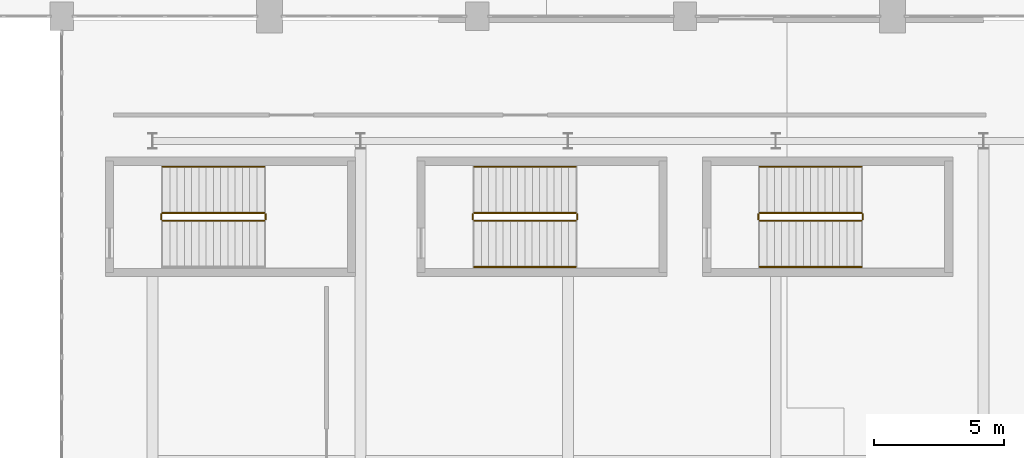
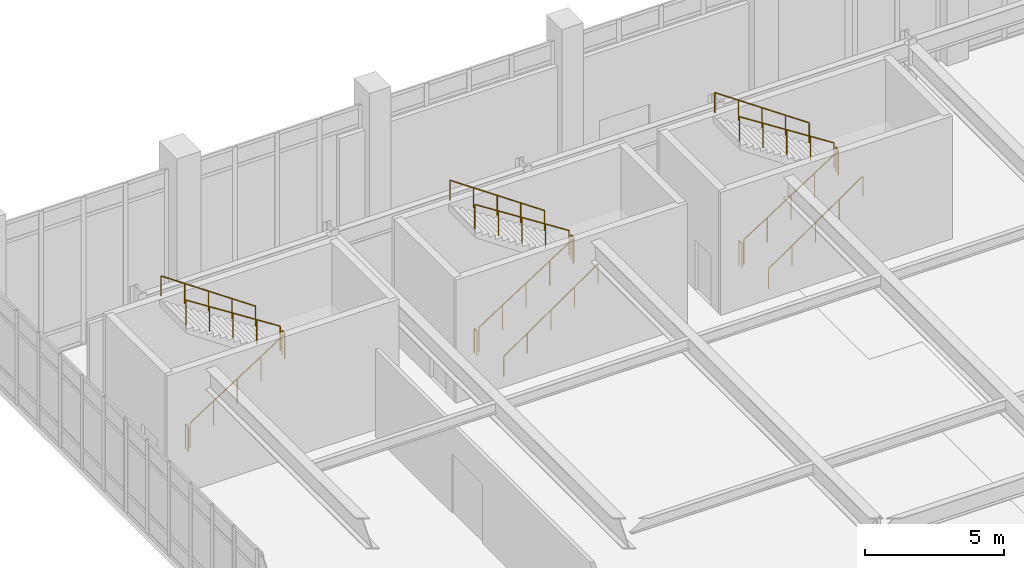
# One storey, part 80 of 84: 17 railings.
"""IFC4 building model written with IfcOpenShell, lengths in metres."""

from ifc_helpers import new_model, si_unit, direction, frame, origin, origin_2d, place, context, subcontext, project, spatial, circle, extrude, material, type_object, element, save


model = new_model("IFC4")

# Units and contexts
model_context = context("Model", 3, precision=1e-05, world=origin(), true_north=direction((0.0, 1.0)))
body_context = subcontext(model_context, "Body", "Model", "MODEL_VIEW")
ifc_project = project(units=[si_unit("LENGTHUNIT", "METRE"), si_unit("AREAUNIT", "SQUARE_METRE"), si_unit("VOLUMEUNIT", "CUBIC_METRE"), si_unit("PLANEANGLEUNIT", "RADIAN"), si_unit("MASSUNIT", "GRAM", prefix="KILO")], contexts=[model_context])

# Site, building, storey
site_placement = place(None, origin())
site = spatial("IfcSite", under=ifc_project, at=site_placement, CompositionType="ELEMENT")
building_placement = place(site_placement, origin())
building = spatial("IfcBuilding", under=site, at=building_placement, Name="Tlacozan Convention Centre", CompositionType="ELEMENT")
storey_placement = place(building_placement, frame((0.0, 0.0, 6.0)))
storey = spatial("IfcBuildingStorey", under=building, at=storey_placement, Name="L01", CompositionType="ELEMENT", Elevation=6.0)

# Railings
ifc_material = material(Name="Architectural Painted Galvanised Steel Railing", Category="steel")
railing_type_1 = type_object("IfcRailingType", Name="Stair Wall Handrail 900", PredefinedType="HANDRAIL", material=ifc_material)
railing_1_placement = place(storey_placement, frame((95.800048828125, 56.2099609375, 2.8798828125)))
element("IfcRailing", 1, at=railing_1_placement, inside=storey, type_object=railing_type_1, Name="L01 ST-06 stair handrail 2", PredefinedType="HANDRAIL", context=body_context, shape_type="SweptSolid", body=[
    extrude(circle(Radius=0.02392578125, at=origin_2d()), frame((0.0, 0.0, 0.8759765625), z_axis=(-0.82354327477, 0.0, 0.567253448276), x_axis=(0.0, -1.0, 0.0)), (0.0, 0.0, 1.0), 4.760009765625),
    extrude(circle(Radius=0.02099609375, at=origin_2d()), origin(), (0.0, 0.0, 1.0), 0.851806640625),
    extrude(circle(Radius=0.02099609375, at=origin_2d()), frame((-0.97998046875, 0.0, 0.675048828125)), (0.0, 0.0, 1.0), 0.851806640625),
    extrude(circle(Radius=0.02099609375, at=origin_2d()), frame((-1.9599609375, 0.0, 1.35009765625)), (0.0, 0.0, 1.0), 0.851806640625),
    extrude(circle(Radius=0.02099609375, at=origin_2d()), frame((-2.940185546875, 0.0, 2.025146484375)), (0.0, 0.0, 1.0), 0.851806640625),
    extrude(circle(Radius=0.02099609375, at=origin_2d()), frame((-3.920166015625, 0.0, 2.7001953125)), (0.0, 0.0, 1.0), 0.851806640625),
])
railing_2_placement = place(storey_placement, frame((103.8798828125, 52.35009765625, 0.179931640625)))
element("IfcRailing", 2, at=railing_2_placement, inside=storey, type_object=railing_type_1, Name="L01 ST-17 stair handrail 1", PredefinedType="HANDRAIL", context=body_context, shape_type="SweptSolid", body=[
    extrude(circle(Radius=0.02392578125, at=origin_2d()), frame((0.0, 0.0, 0.8759765625), z_axis=(0.823567234665, 0.0, 0.567218661528), x_axis=(0.0, 1.0, 0.0)), (0.0, 0.0, 1.0), 4.760009765625),
    extrude(circle(Radius=0.02099609375, at=origin_2d()), origin(), (0.0, 0.0, 1.0), 0.851806640625),
    extrude(circle(Radius=0.02099609375, at=origin_2d()), frame((0.97998046875, 0.0, 0.675048828125)), (0.0, 0.0, 1.0), 0.851806640625),
    extrude(circle(Radius=0.02099609375, at=origin_2d()), frame((1.9599609375, 0.0, 1.35009765625)), (0.0, 0.0, 1.0), 0.851806640625),
    extrude(circle(Radius=0.02099609375, at=origin_2d()), frame((2.940185546875, 0.0, 2.02490234375)), (0.0, 0.0, 1.0), 0.851806640625),
    extrude(circle(Radius=0.02099609375, at=origin_2d()), frame((3.920166015625, 0.0, 2.699951171875)), (0.0, 0.0, 1.0), 0.851806640625),
])
railing_3_placement = place(storey_placement, frame((107.800048828125, 56.2099609375, 2.8798828125)))
element("IfcRailing", 3, at=railing_3_placement, inside=storey, type_object=railing_type_1, Name="L01 ST-17 stair handrail 2", PredefinedType="HANDRAIL", context=body_context, shape_type="SweptSolid", body=[
    extrude(circle(Radius=0.02392578125, at=origin_2d()), frame((0.0, 0.0, 0.8759765625), z_axis=(-0.82354327477, 0.0, 0.567253448276), x_axis=(0.0, -1.0, 0.0)), (0.0, 0.0, 1.0), 4.760009765625),
    extrude(circle(Radius=0.02099609375, at=origin_2d()), origin(), (0.0, 0.0, 1.0), 0.851806640625),
    extrude(circle(Radius=0.02099609375, at=origin_2d()), frame((-0.97998046875, 0.0, 0.675048828125)), (0.0, 0.0, 1.0), 0.851806640625),
    extrude(circle(Radius=0.02099609375, at=origin_2d()), frame((-1.9599609375, 0.0, 1.35009765625)), (0.0, 0.0, 1.0), 0.851806640625),
    extrude(circle(Radius=0.02099609375, at=origin_2d()), frame((-2.940185546875, 0.0, 2.025146484375)), (0.0, 0.0, 1.0), 0.851806640625),
    extrude(circle(Radius=0.02099609375, at=origin_2d()), frame((-3.920166015625, 0.0, 2.7001953125)), (0.0, 0.0, 1.0), 0.851806640625),
])
railing_4_placement = place(storey_placement, frame((114.8798828125, 52.35009765625, 0.179931640625)))
element("IfcRailing", 4, at=railing_4_placement, inside=storey, type_object=railing_type_1, Name="L01 ST-18 stair handrail 1", PredefinedType="HANDRAIL", context=body_context, shape_type="SweptSolid", body=[
    extrude(circle(Radius=0.02392578125, at=origin_2d()), frame((0.0, 0.0, 0.8759765625), z_axis=(0.823567234665, 0.0, 0.567218661528), x_axis=(0.0, 1.0, 0.0)), (0.0, 0.0, 1.0), 4.760009765625),
    extrude(circle(Radius=0.02099609375, at=origin_2d()), origin(), (0.0, 0.0, 1.0), 0.851806640625),
    extrude(circle(Radius=0.02099609375, at=origin_2d()), frame((0.97998046875, 0.0, 0.675048828125)), (0.0, 0.0, 1.0), 0.851806640625),
    extrude(circle(Radius=0.02099609375, at=origin_2d()), frame((1.9599609375, 0.0, 1.35009765625)), (0.0, 0.0, 1.0), 0.851806640625),
    extrude(circle(Radius=0.02099609375, at=origin_2d()), frame((2.940185546875, 0.0, 2.02490234375)), (0.0, 0.0, 1.0), 0.851806640625),
    extrude(circle(Radius=0.02099609375, at=origin_2d()), frame((3.920166015625, 0.0, 2.699951171875)), (0.0, 0.0, 1.0), 0.851806640625),
])
railing_5_placement = place(storey_placement, frame((118.800048828125, 56.2099609375, 2.8798828125)))
element("IfcRailing", 5, at=railing_5_placement, inside=storey, type_object=railing_type_1, Name="L01 ST-18 stair handrail 2", PredefinedType="HANDRAIL", context=body_context, shape_type="SweptSolid", body=[
    extrude(circle(Radius=0.02392578125, at=origin_2d()), frame((0.0, 0.0, 0.8759765625), z_axis=(-0.82354327477, 0.0, 0.567253448276), x_axis=(0.0, -1.0, 0.0)), (0.0, 0.0, 1.0), 4.760009765625),
    extrude(circle(Radius=0.02099609375, at=origin_2d()), origin(), (0.0, 0.0, 1.0), 0.851806640625),
    extrude(circle(Radius=0.02099609375, at=origin_2d()), frame((-0.97998046875, 0.0, 0.675048828125)), (0.0, 0.0, 1.0), 0.851806640625),
    extrude(circle(Radius=0.02099609375, at=origin_2d()), frame((-1.9599609375, 0.0, 1.35009765625)), (0.0, 0.0, 1.0), 0.851806640625),
    extrude(circle(Radius=0.02099609375, at=origin_2d()), frame((-2.940185546875, 0.0, 2.025146484375)), (0.0, 0.0, 1.0), 0.851806640625),
    extrude(circle(Radius=0.02099609375, at=origin_2d()), frame((-3.920166015625, 0.0, 2.7001953125)), (0.0, 0.0, 1.0), 0.851806640625),
])
railing_type_2 = type_object("IfcRailingType", Name="Stair Well Guardrail 1100", PredefinedType="GUARDRAIL", material=ifc_material)
railing_6_placement = place(storey_placement, frame((91.8798828125, 54.1298828125, 0.179931640625)))
element("IfcRailing", 6, at=railing_6_placement, inside=storey, type_object=railing_type_2, Name="L01 ST-06 stair guard 1", PredefinedType="GUARDRAIL", context=body_context, shape_type="SweptSolid", body=[
    extrude(circle(Radius=0.02392578125, at=origin_2d()), frame((0.0, 0.0, 1.076171875), z_axis=(0.841186985886, 0.0, 0.540744352514), x_axis=(0.0, 1.0, 0.0)), (0.0, 0.0, 1.0), 4.660400390625),
    extrude(circle(Radius=0.02099609375, at=origin_2d()), origin(), (0.0, 0.0, 1.0), 1.052001953125),
    extrude(circle(Radius=0.02099609375, at=origin_2d()), frame((0.97998046875, 0.0, 0.6298828125)), (0.0, 0.0, 1.0), 1.052001953125),
    extrude(circle(Radius=0.02099609375, at=origin_2d()), frame((1.9599609375, 0.0, 1.260009765625)), (0.0, 0.0, 1.0), 1.052001953125),
    extrude(circle(Radius=0.02099609375, at=origin_2d()), frame((2.940185546875, 0.0, 1.89013671875)), (0.0, 0.0, 1.0), 1.052001953125),
    extrude(circle(Radius=0.02099609375, at=origin_2d()), frame((3.920166015625, 0.0, 2.52001953125)), (0.0, 0.0, 1.0), 1.052001953125),
])
railing_7_placement = place(storey_placement, frame((95.85009765625, 54.179931640625, 2.699951171875)))
element("IfcRailing", 7, at=railing_7_placement, inside=storey, type_object=railing_type_2, Name="L01 ST-06 stair guard 2", PredefinedType="GUARDRAIL", context=body_context, shape_type="SweptSolid", body=[
    extrude(circle(Radius=0.02392578125, at=origin_2d()), frame((0.0, 0.0, 1.076171875), z_axis=(0.0, 1.0, 0.0), x_axis=(-1.0, 0.0, 0.0)), (0.0, 0.0, 1.0), 0.199951171875),
    extrude(circle(Radius=0.02099609375, at=origin_2d()), origin(), (0.0, 0.0, 1.0), 1.052001953125),
    extrude(circle(Radius=0.02099609375, at=origin_2d()), frame((0.0, 0.199951171875, 0.0)), (0.0, 0.0, 1.0), 1.052001953125),
])
railing_8_placement = place(storey_placement, frame((95.800048828125, 54.429931640625, 2.8798828125)))
element("IfcRailing", 8, at=railing_8_placement, inside=storey, type_object=railing_type_2, Name="L01 ST-06 stair guard 3", PredefinedType="GUARDRAIL", context=body_context, shape_type="SweptSolid", body=[
    extrude(circle(Radius=0.02392578125, at=origin_2d()), frame((0.0, 0.0, 1.076171875), z_axis=(-0.841186985886, 0.0, 0.540744352514), x_axis=(0.0, -1.0, 0.0)), (0.0, 0.0, 1.0), 4.660400390625),
    extrude(circle(Radius=0.02099609375, at=origin_2d()), origin(), (0.0, 0.0, 1.0), 1.052001953125),
    extrude(circle(Radius=0.02099609375, at=origin_2d()), frame((-0.97998046875, 0.0, 0.6298828125)), (0.0, 0.0, 1.0), 1.052001953125),
    extrude(circle(Radius=0.02099609375, at=origin_2d()), frame((-1.9599609375, 0.0, 1.260009765625)), (0.0, 0.0, 1.0), 1.052001953125),
    extrude(circle(Radius=0.02099609375, at=origin_2d()), frame((-2.940185546875, 0.0, 1.89013671875)), (0.0, 0.0, 1.0), 1.052001953125),
    extrude(circle(Radius=0.02099609375, at=origin_2d()), frame((-3.920166015625, 0.0, 2.52001953125)), (0.0, 0.0, 1.0), 1.052001953125),
])
railing_9_placement = place(storey_placement, frame((91.830078125, 54.179931640625, 0.0)))
element("IfcRailing", 9, at=railing_9_placement, inside=storey, type_object=railing_type_2, Name="L01 ST-06 stair guard 4", PredefinedType="GUARDRAIL", context=body_context, shape_type="SweptSolid", body=[
    extrude(circle(Radius=0.02392578125, at=origin_2d()), frame((0.0, 0.0, 1.076171875), z_axis=(0.0, 1.0, 0.0), x_axis=(-1.0, 0.0, 0.0)), (0.0, 0.0, 1.0), 0.199951171875),
    extrude(circle(Radius=0.02099609375, at=origin_2d()), origin(), (0.0, 0.0, 1.0), 1.052001953125),
    extrude(circle(Radius=0.02099609375, at=origin_2d()), frame((0.0, 0.199951171875, 0.0)), (0.0, 0.0, 1.0), 1.052001953125),
])
railing_10_placement = place(storey_placement, frame((103.8798828125, 54.1298828125, 0.179931640625)))
element("IfcRailing", 10, at=railing_10_placement, inside=storey, type_object=railing_type_2, Name="L01 ST-17 stair guard 1", PredefinedType="GUARDRAIL", context=body_context, shape_type="SweptSolid", body=[
    extrude(circle(Radius=0.02392578125, at=origin_2d()), frame((0.0, 0.0, 1.076171875), z_axis=(0.841186985886, 0.0, 0.540744352514), x_axis=(0.0, 1.0, 0.0)), (0.0, 0.0, 1.0), 4.660400390625),
    extrude(circle(Radius=0.02099609375, at=origin_2d()), origin(), (0.0, 0.0, 1.0), 1.052001953125),
    extrude(circle(Radius=0.02099609375, at=origin_2d()), frame((0.97998046875, 0.0, 0.6298828125)), (0.0, 0.0, 1.0), 1.052001953125),
    extrude(circle(Radius=0.02099609375, at=origin_2d()), frame((1.9599609375, 0.0, 1.260009765625)), (0.0, 0.0, 1.0), 1.052001953125),
    extrude(circle(Radius=0.02099609375, at=origin_2d()), frame((2.940185546875, 0.0, 1.89013671875)), (0.0, 0.0, 1.0), 1.052001953125),
    extrude(circle(Radius=0.02099609375, at=origin_2d()), frame((3.920166015625, 0.0, 2.52001953125)), (0.0, 0.0, 1.0), 1.052001953125),
])
railing_11_placement = place(storey_placement, frame((107.85009765625, 54.179931640625, 2.699951171875)))
element("IfcRailing", 11, at=railing_11_placement, inside=storey, type_object=railing_type_2, Name="L01 ST-17 stair guard 2", PredefinedType="GUARDRAIL", context=body_context, shape_type="SweptSolid", body=[
    extrude(circle(Radius=0.02392578125, at=origin_2d()), frame((0.0, 0.0, 1.076171875), z_axis=(0.0, 1.0, 0.0), x_axis=(-1.0, 0.0, 0.0)), (0.0, 0.0, 1.0), 0.199951171875),
    extrude(circle(Radius=0.02099609375, at=origin_2d()), origin(), (0.0, 0.0, 1.0), 1.052001953125),
    extrude(circle(Radius=0.02099609375, at=origin_2d()), frame((0.0, 0.199951171875, 0.0)), (0.0, 0.0, 1.0), 1.052001953125),
])
railing_12_placement = place(storey_placement, frame((107.800048828125, 54.429931640625, 2.8798828125)))
element("IfcRailing", 12, at=railing_12_placement, inside=storey, type_object=railing_type_2, Name="L01 ST-17 stair guard 3", PredefinedType="GUARDRAIL", context=body_context, shape_type="SweptSolid", body=[
    extrude(circle(Radius=0.02392578125, at=origin_2d()), frame((0.0, 0.0, 1.076171875), z_axis=(-0.841186985886, 0.0, 0.540744352514), x_axis=(0.0, -1.0, 0.0)), (0.0, 0.0, 1.0), 4.660400390625),
    extrude(circle(Radius=0.02099609375, at=origin_2d()), origin(), (0.0, 0.0, 1.0), 1.052001953125),
    extrude(circle(Radius=0.02099609375, at=origin_2d()), frame((-0.97998046875, 0.0, 0.6298828125)), (0.0, 0.0, 1.0), 1.052001953125),
    extrude(circle(Radius=0.02099609375, at=origin_2d()), frame((-1.9599609375, 0.0, 1.260009765625)), (0.0, 0.0, 1.0), 1.052001953125),
    extrude(circle(Radius=0.02099609375, at=origin_2d()), frame((-2.940185546875, 0.0, 1.89013671875)), (0.0, 0.0, 1.0), 1.052001953125),
    extrude(circle(Radius=0.02099609375, at=origin_2d()), frame((-3.920166015625, 0.0, 2.52001953125)), (0.0, 0.0, 1.0), 1.052001953125),
])
railing_13_placement = place(storey_placement, frame((103.830078125, 54.179931640625, 0.0)))
element("IfcRailing", 13, at=railing_13_placement, inside=storey, type_object=railing_type_2, Name="L01 ST-17 stair guard 4", PredefinedType="GUARDRAIL", context=body_context, shape_type="SweptSolid", body=[
    extrude(circle(Radius=0.02392578125, at=origin_2d()), frame((0.0, 0.0, 1.076171875), z_axis=(0.0, 1.0, 0.0), x_axis=(-1.0, 0.0, 0.0)), (0.0, 0.0, 1.0), 0.199951171875),
    extrude(circle(Radius=0.02099609375, at=origin_2d()), origin(), (0.0, 0.0, 1.0), 1.052001953125),
    extrude(circle(Radius=0.02099609375, at=origin_2d()), frame((0.0, 0.199951171875, 0.0)), (0.0, 0.0, 1.0), 1.052001953125),
])
railing_14_placement = place(storey_placement, frame((114.8798828125, 54.1298828125, 0.179931640625)))
element("IfcRailing", 14, at=railing_14_placement, inside=storey, type_object=railing_type_2, Name="L01 ST-18 stair guard 1", PredefinedType="GUARDRAIL", context=body_context, shape_type="SweptSolid", body=[
    extrude(circle(Radius=0.02392578125, at=origin_2d()), frame((0.0, 0.0, 1.076171875), z_axis=(0.841186985886, 0.0, 0.540744352514), x_axis=(0.0, 1.0, 0.0)), (0.0, 0.0, 1.0), 4.660400390625),
    extrude(circle(Radius=0.02099609375, at=origin_2d()), origin(), (0.0, 0.0, 1.0), 1.052001953125),
    extrude(circle(Radius=0.02099609375, at=origin_2d()), frame((0.97998046875, 0.0, 0.6298828125)), (0.0, 0.0, 1.0), 1.052001953125),
    extrude(circle(Radius=0.02099609375, at=origin_2d()), frame((1.9599609375, 0.0, 1.260009765625)), (0.0, 0.0, 1.0), 1.052001953125),
    extrude(circle(Radius=0.02099609375, at=origin_2d()), frame((2.940185546875, 0.0, 1.89013671875)), (0.0, 0.0, 1.0), 1.052001953125),
    extrude(circle(Radius=0.02099609375, at=origin_2d()), frame((3.920166015625, 0.0, 2.52001953125)), (0.0, 0.0, 1.0), 1.052001953125),
])
railing_15_placement = place(storey_placement, frame((118.85009765625, 54.179931640625, 2.699951171875)))
element("IfcRailing", 15, at=railing_15_placement, inside=storey, type_object=railing_type_2, Name="L01 ST-18 stair guard 2", PredefinedType="GUARDRAIL", context=body_context, shape_type="SweptSolid", body=[
    extrude(circle(Radius=0.02392578125, at=origin_2d()), frame((0.0, 0.0, 1.076171875), z_axis=(0.0, 1.0, 0.0), x_axis=(-1.0, 0.0, 0.0)), (0.0, 0.0, 1.0), 0.199951171875),
    extrude(circle(Radius=0.02099609375, at=origin_2d()), origin(), (0.0, 0.0, 1.0), 1.052001953125),
    extrude(circle(Radius=0.02099609375, at=origin_2d()), frame((0.0, 0.199951171875, 0.0)), (0.0, 0.0, 1.0), 1.052001953125),
])
railing_16_placement = place(storey_placement, frame((118.800048828125, 54.429931640625, 2.8798828125)))
element("IfcRailing", 16, at=railing_16_placement, inside=storey, type_object=railing_type_2, Name="L01 ST-18 stair guard 3", PredefinedType="GUARDRAIL", context=body_context, shape_type="SweptSolid", body=[
    extrude(circle(Radius=0.02392578125, at=origin_2d()), frame((0.0, 0.0, 1.076171875), z_axis=(-0.841186985886, 0.0, 0.540744352514), x_axis=(0.0, -1.0, 0.0)), (0.0, 0.0, 1.0), 4.660400390625),
    extrude(circle(Radius=0.02099609375, at=origin_2d()), origin(), (0.0, 0.0, 1.0), 1.052001953125),
    extrude(circle(Radius=0.02099609375, at=origin_2d()), frame((-0.97998046875, 0.0, 0.6298828125)), (0.0, 0.0, 1.0), 1.052001953125),
    extrude(circle(Radius=0.02099609375, at=origin_2d()), frame((-1.9599609375, 0.0, 1.260009765625)), (0.0, 0.0, 1.0), 1.052001953125),
    extrude(circle(Radius=0.02099609375, at=origin_2d()), frame((-2.940185546875, 0.0, 1.89013671875)), (0.0, 0.0, 1.0), 1.052001953125),
    extrude(circle(Radius=0.02099609375, at=origin_2d()), frame((-3.920166015625, 0.0, 2.52001953125)), (0.0, 0.0, 1.0), 1.052001953125),
])
railing_17_placement = place(storey_placement, frame((114.830078125, 54.179931640625, 0.0)))
element("IfcRailing", 17, at=railing_17_placement, inside=storey, type_object=railing_type_2, Name="L01 ST-18 stair guard 4", PredefinedType="GUARDRAIL", context=body_context, shape_type="SweptSolid", body=[
    extrude(circle(Radius=0.02392578125, at=origin_2d()), frame((0.0, 0.0, 1.076171875), z_axis=(0.0, 1.0, 0.0), x_axis=(-1.0, 0.0, 0.0)), (0.0, 0.0, 1.0), 0.199951171875),
    extrude(circle(Radius=0.02099609375, at=origin_2d()), origin(), (0.0, 0.0, 1.0), 1.052001953125),
    extrude(circle(Radius=0.02099609375, at=origin_2d()), frame((0.0, 0.199951171875, 0.0)), (0.0, 0.0, 1.0), 1.052001953125),
])

save(model, "model.ifc")
